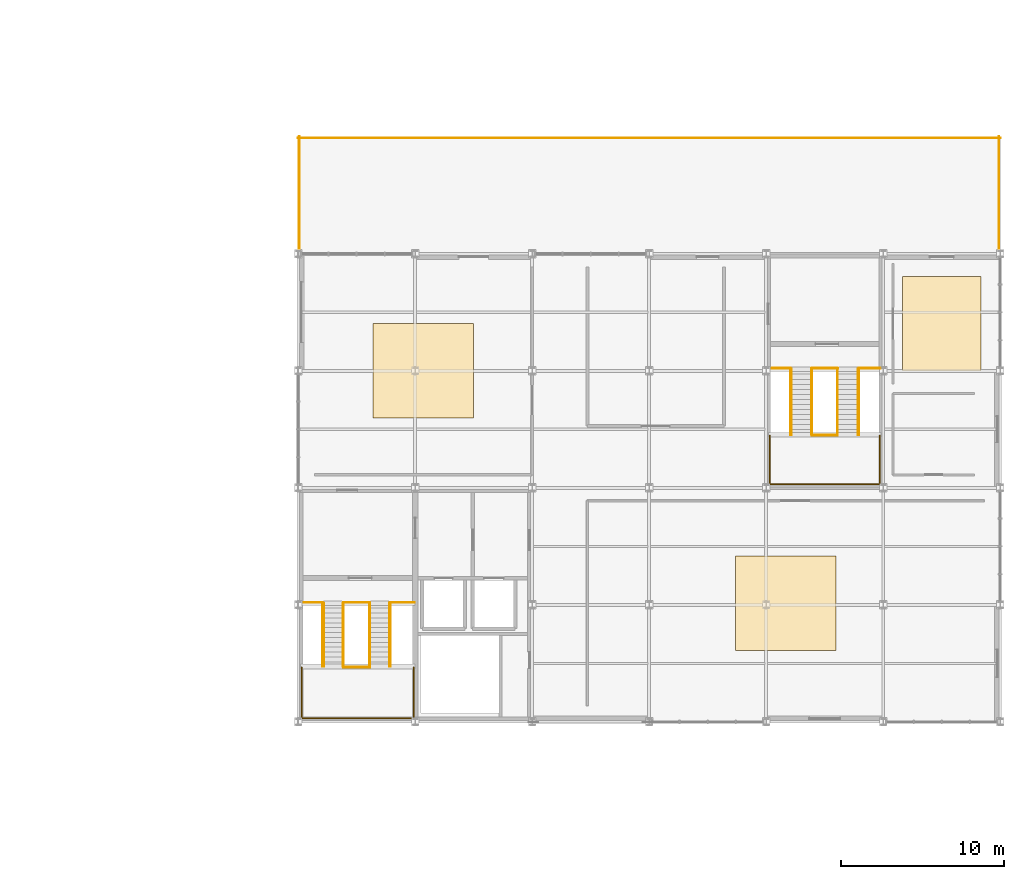
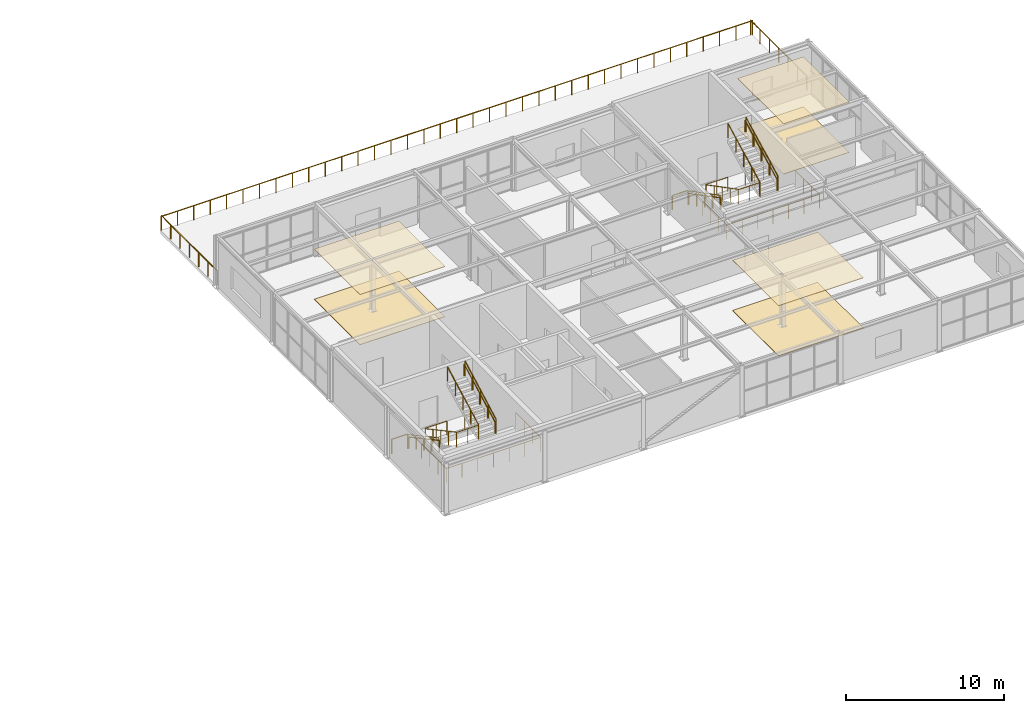
# One storey, part 30 of 30: 25 railings, 6 coverings.
"""IFC4 building model written with IfcOpenShell, lengths in metres."""

import ifcopenshell
import ifcopenshell.guid

model = None  # the IFC model being written
_history = None  # IfcOwnerHistory: only IFC2X3 demands one
_inside = {}  # id of a spatial element -> (the spatial element, [elements in it])
_under = {}  # id of a project, library or spatial element -> (it, [spatial elements below it])
_declared = {}  # id of a project -> (the project, [libraries it declares])
_typed = {}  # id of a type object -> (the type object, [elements of that type])
_made_of = {}  # id of a material, layer set ... -> (it, [elements and type objects made of it])


def new_model(schema):
    """Start an empty IFC model of exactly this schema.

    Asked for "IFC4X3", IfcOpenShell would pick the latest addendum, in which some entities
    have other attributes; the version numbers below select the first issue.
    IFC2X3 requires an IfcOwnerHistory on every rooted entity: one is made here for all.
    """
    global model, _history
    if schema == "IFC4X3":
        model = ifcopenshell.file(schema_version=(4, 3, 0, 0))
    else:
        model = ifcopenshell.file(schema=schema)
    _inside.clear()
    _under.clear()
    _declared.clear()
    _typed.clear()
    _made_of.clear()
    _history = None
    if model.schema == "IFC2X3":
        org = make("IfcOrganization", Name="unknown")
        user = make(
            "IfcPersonAndOrganization",
            ThePerson=make("IfcPerson", FamilyName="unknown"),
            TheOrganization=org,
        )
        app = make(
            "IfcApplication",
            ApplicationDeveloper=org,
            Version="unknown",
            ApplicationFullName="unknown",
            ApplicationIdentifier="unknown",
        )
        _history = make(
            "IfcOwnerHistory",
            OwningUser=user,
            OwningApplication=app,
            ChangeAction="ADDED",
            CreationDate=0,
        )
    return model


def make(cls, **values):
    """One entity of the class cls with the attributes given. An attribute that is None is left unset."""
    return model.create_entity(
        cls, **{name: value for name, value in values.items() if value is not None}
    )


def rooted(cls, **values):
    """An entity with a GlobalId (a new one), such as an element, a storey or a relation."""
    return make(cls, GlobalId=ifcopenshell.guid.new(), OwnerHistory=_history, **values)


def si_unit(unit_type, name, prefix=None):
    """IfcSIUnit, for example si_unit("LENGTHUNIT", "METRE", prefix="MILLI")."""
    return make("IfcSIUnit", UnitType=unit_type, Prefix=prefix, Name=name)


def assignment(units):
    """IfcUnitAssignment: the units of a project."""
    return None if units is None else make("IfcUnitAssignment", Units=units)


def point(xyz):
    """IfcCartesianPoint."""
    return None if xyz is None else make("IfcCartesianPoint", Coordinates=xyz)


def direction(xyz):
    """IfcDirection."""
    return None if xyz is None else make("IfcDirection", DirectionRatios=xyz)


def frame(location, z_axis=None, x_axis=None):
    """IfcAxis2Placement3D, a coordinate frame: its origin and axes. An axis left out is left unset."""
    return make(
        "IfcAxis2Placement3D",
        Location=point(location),
        Axis=direction(z_axis),
        RefDirection=direction(x_axis),
    )


def frame_2d(location, x_axis=None):
    """IfcAxis2Placement2D, a coordinate frame in the plane: its origin and x axis."""
    return make(
        "IfcAxis2Placement2D", Location=point(location), RefDirection=direction(x_axis)
    )


def origin():
    """The frame at (0, 0, 0) with its axes left unset."""
    return frame((0.0, 0.0, 0.0))


def origin_2d():
    """The frame at (0, 0) in the plane with its x axis left unset."""
    return frame_2d((0.0, 0.0))


def place(relative_to, where):
    """IfcLocalPlacement: puts the frame where relative to a parent placement (None: the world)."""
    return make(
        "IfcLocalPlacement", PlacementRelTo=relative_to, RelativePlacement=where
    )


def context(
    kind, dimensions, precision=None, world=None, true_north=None, identifier=None
):
    """IfcGeometricRepresentationContext, for example the 3D "Model" context."""
    return make(
        "IfcGeometricRepresentationContext",
        ContextIdentifier=identifier,
        ContextType=kind,
        CoordinateSpaceDimension=dimensions,
        Precision=precision,
        WorldCoordinateSystem=world,
        TrueNorth=true_north,
    )


def subcontext(parent, identifier, kind, view, scale=None):
    """IfcGeometricRepresentationSubContext, for example "Body" below "Model"."""
    return make(
        "IfcGeometricRepresentationSubContext",
        ContextIdentifier=identifier,
        ContextType=kind,
        ParentContext=parent,
        TargetScale=scale,
        TargetView=view,
    )


def project(units=None, contexts=None):
    """IfcProject with its units and contexts."""
    return rooted(
        "IfcProject",
        Name="project",
        RepresentationContexts=contexts,
        UnitsInContext=assignment(units),
    )


def spatial(cls, under=None, at=None, **own):
    """A site, building, storey or space (cls), placed at a placement, below another one or the project."""
    s = rooted(cls, ObjectPlacement=at, **own)
    if under is not None:
        _under.setdefault(under.id(), (under, []))[1].append(s)
    return s


def profile(cls, at=None, kind="AREA", **sizes):
    """A parametric profile (cls). Its sizes go by their IFC names, for example OverallWidth=200.0."""
    return make(cls, ProfileType=kind, Position=at, **sizes)


def rectangle(**sizes):
    """IfcRectangleProfileDef."""
    return profile("IfcRectangleProfileDef", **sizes)


def circle(**sizes):
    """IfcCircleProfileDef."""
    return profile("IfcCircleProfileDef", **sizes)


def extrude(swept, where, along, depth):
    """IfcExtrudedAreaSolid: the profile swept, set in the frame where, extruded along a direction by depth."""
    return make(
        "IfcExtrudedAreaSolid",
        SweptArea=swept,
        Position=where,
        ExtrudedDirection=direction(along),
        Depth=depth,
    )


def shape(context_of_items, identifier, shape_type, items):
    """IfcShapeRepresentation: the items that make up one representation, for example the "Body"."""
    return make(
        "IfcShapeRepresentation",
        ContextOfItems=context_of_items,
        RepresentationIdentifier=identifier,
        RepresentationType=shape_type,
        Items=items,
    )


def material(Name=None, Category=None):
    """IfcMaterial."""
    return make("IfcMaterial", Name=Name, Category=Category)


def layer(
    of_material, thickness, ventilated=None, Name=None, Category=None, Priority=None
):
    """IfcMaterialLayer: one layer of a wall or slab, of a material (None: an air gap)."""
    return make(
        "IfcMaterialLayer",
        Material=of_material,
        LayerThickness=thickness,
        IsVentilated=ventilated,
        Name=Name,
        Category=Category,
        Priority=Priority,
    )


def layer_set(layers, Name=None):
    """IfcMaterialLayerSet."""
    return make("IfcMaterialLayerSet", MaterialLayers=layers, LayerSetName=Name)


def made_of(thing, what):
    """Note that an element or type object is made of a material, layer set ...; save() writes the relation."""
    if what is not None:
        _made_of.setdefault(what.id(), (what, []))[1].append(thing)
    return thing


def type_object(cls, material=None, **own):
    """A type object (cls), such as IfcWallType, which elements share."""
    return made_of(rooted(cls, **own), material)


def element(
    cls,
    number,
    at=None,
    inside=None,
    cuts=None,
    type_object=None,
    material=None,
    context=None,
    identifier="Body",
    shape_type=None,
    held_by="IfcProductDefinitionShape",
    body=None,
    shapes=None,
    **own,
):
    """One element of the class cls, such as IfcWall. Its Tag is "e" and its number.

    at: its placement. inside: the storey or other place that contains it. cuts: it is an
    opening in that element (IfcRelVoidsElement). A single representation is given by context,
    identifier, shape_type and body (its items); several are given by shapes. held_by: the class
    of the entity that holds the representations. save() writes the other relations.
    """
    e = rooted(cls, Tag="e%d" % number, ObjectPlacement=at, **own)
    if body is not None:
        shapes = [shape(context, identifier, shape_type, body)]
    if shapes is not None:
        e.Representation = make(held_by, Representations=shapes)
    if inside is not None:
        _inside.setdefault(inside.id(), (inside, []))[1].append(e)
    if cuts is not None:
        rooted(
            "IfcRelVoidsElement", RelatingBuildingElement=cuts, RelatedOpeningElement=e
        )
    if type_object is not None:
        _typed.setdefault(type_object.id(), (type_object, []))[1].append(e)
    return made_of(e, material)


def aggregate(whole, parts):
    """IfcRelAggregates: a whole, such as a stair, and the parts it consists of."""
    return rooted("IfcRelAggregates", RelatingObject=whole, RelatedObjects=parts)


def save(model, path):
    """Write the relations noted so far, then the file.

    IfcRelAggregates (storeys below a building ...), IfcRelContainedInSpatialStructure (elements
    in a storey), IfcRelDefinesByType, IfcRelAssociatesMaterial and IfcRelDeclares: one each for
    every whole, place, type object, material and project.
    """
    for whole, parts in _under.values():
        aggregate(whole, parts)
    for where, things in _inside.values():
        rooted(
            "IfcRelContainedInSpatialStructure",
            RelatedElements=things,
            RelatingStructure=where,
        )
    for kind, things in _typed.values():
        rooted("IfcRelDefinesByType", RelatedObjects=things, RelatingType=kind)
    for what, things in _made_of.values():
        rooted("IfcRelAssociatesMaterial", RelatedObjects=things, RelatingMaterial=what)
    for by, libraries in _declared.values():
        rooted("IfcRelDeclares", RelatingContext=by, RelatedDefinitions=libraries)
    model.write(path)


model = new_model("IFC4")

# Units and contexts
model_context = context("Model", 3, precision=1e-05, world=origin(), true_north=direction((0.0, 1.0)))
body_context = subcontext(model_context, "Body", "Model", "MODEL_VIEW")
ifc_project = project(units=[si_unit("LENGTHUNIT", "METRE"), si_unit("AREAUNIT", "SQUARE_METRE"), si_unit("VOLUMEUNIT", "CUBIC_METRE"), si_unit("PLANEANGLEUNIT", "RADIAN"), si_unit("MASSUNIT", "GRAM", prefix="KILO")], contexts=[model_context])

# Site, building, storey
site_placement = place(None, origin())
site = spatial("IfcSite", under=ifc_project, at=site_placement, CompositionType="ELEMENT")
building_placement = place(site_placement, origin())
building = spatial("IfcBuilding", under=site, at=building_placement, Name="Leyfeld Transit Interchange", CompositionType="ELEMENT")
storey_placement = place(building_placement, frame((0.0, 0.0, 13.800048828125)))
storey = spatial("IfcBuildingStorey", under=building, at=storey_placement, Name="L03", CompositionType="ELEMENT", Elevation=13.800048828125)

# Coverings
ifc_material_1 = material(Name="Austrian larch acoustic slat ceiling", Category="wood")
ifc_layer_1 = layer(ifc_material_1, 0.0400390625, Name="Austrian larch acoustic slat ceiling")
ifc_layer_set_1 = layer_set([ifc_layer_1], Name="Austrian larch acoustic slat ceiling")
covering_type_1 = type_object("IfcCoveringType", Name="COV-CLG-LRC", PredefinedType="CEILING", material=ifc_layer_set_1)
for number, where, z_axis, x_axis, name in (
    (1, (166.800048828125, 64.89990234375, 3.864990234375), (0.0, 0.0, 1.0), (1.0, 0.0, 0.0), "Acoustic Slat Ceiling Integrated Mobility Planning Studio"),
    (2, (144.5, 79.199951171875, 3.864990234375), (0.0, 0.0, 1.0), (1.0, 0.0, 0.0), "Acoustic Slat Ceiling Public Consultation Seminar Room"),
):
    element("IfcCovering", number, at=place(storey_placement, frame(where, z_axis=z_axis, x_axis=x_axis)), inside=storey, type_object=covering_type_1, Name=name, PredefinedType="CEILING", context=body_context, shape_type="SweptSolid", body=[
        extrude(rectangle(XDim=6.199951171875, YDim=5.800048828125, at=origin_2d()), origin(), (0.0, 0.0, 1.0), 0.0400390625),
    ])
covering_1_placement = place(storey_placement, frame((176.39990234375, 82.10009765625, 3.864990234375), z_axis=(0.0, 0.0, 1.0), x_axis=(1.0, 0.0, 0.0)))
element("IfcCovering", 3, at=covering_1_placement, inside=storey, type_object=covering_type_1, Name="Acoustic Slat Ceiling Active Mobility Analytics Studio", PredefinedType="CEILING", context=body_context, shape_type="SweptSolid", body=[
    extrude(rectangle(XDim=4.800048828125, YDim=5.800048828125, at=origin_2d()), origin(), (0.0, 0.0, 1.0), 0.0400390625),
])
ifc_material_2 = material(Name="Polished Danube terrazzo flooring", Category="stone")
ifc_layer_2 = layer(ifc_material_2, 0.030029296875, Name="Polished Danube terrazzo flooring")
ifc_layer_set_2 = layer_set([ifc_layer_2], Name="Polished Danube terrazzo flooring")
covering_type_2 = type_object("IfcCoveringType", Name="COV-FLR-TRZ", PredefinedType="FLOORING", material=ifc_layer_set_2)
for number, where, z_axis, x_axis, name in (
    (4, (166.800048828125, 64.89990234375, 0.0), (0.0, 0.0, 1.0), (1.0, 0.0, 0.0), "Terrazzo Flooring Integrated Mobility Planning Studio"),
    (5, (144.5, 79.199951171875, 0.0), (0.0, 0.0, 1.0), (1.0, 0.0, 0.0), "Terrazzo Flooring Public Consultation Seminar Room"),
):
    element("IfcCovering", number, at=place(storey_placement, frame(where, z_axis=z_axis, x_axis=x_axis)), inside=storey, type_object=covering_type_2, Name=name, PredefinedType="FLOORING", context=body_context, shape_type="SweptSolid", body=[
        extrude(rectangle(XDim=6.199951171875, YDim=5.800048828125, at=origin_2d()), origin(), (0.0, 0.0, 1.0), 0.030029296875),
    ])
covering_2_placement = place(storey_placement, frame((176.39990234375, 82.10009765625, 0.0), z_axis=(0.0, 0.0, 1.0), x_axis=(1.0, 0.0, 0.0)))
element("IfcCovering", 6, at=covering_2_placement, inside=storey, type_object=covering_type_2, Name="Terrazzo Flooring Active Mobility Analytics Studio", PredefinedType="FLOORING", context=body_context, shape_type="SweptSolid", body=[
    extrude(rectangle(XDim=4.800048828125, YDim=5.800048828125, at=origin_2d()), origin(), (0.0, 0.0, 1.0), 0.030029296875),
])

# Railings
ifc_material_3 = material(Name="Stainless steel EN 1.4404", Category="steel")
railing_type_1 = type_object("IfcRailingType", Name="RL-BAL-1100", PredefinedType="BALUSTRADE", material=ifc_material_3)
railing_1_placement = place(storey_placement, frame((179.919921875, 86.52001953125, 0.0)))
element("IfcRailing", 7, at=railing_1_placement, inside=storey, type_object=railing_type_1, Name="Terrace Balustrade L03 007", PredefinedType="BALUSTRADE", context=body_context, shape_type="SweptSolid", body=[
    extrude(circle(Radius=0.02392578125, at=origin_2d()), frame((0.0, 0.0, 1.09619140625), z_axis=(0.0, 1.0, 0.0), x_axis=(-1.0, 0.0, 0.0)), (0.0, 0.0, 1.0), 7.080078125),
    extrude(circle(Radius=0.02099609375, at=origin_2d()), origin(), (0.0, 0.0, 1.0), 1.072021484375),
    extrude(circle(Radius=0.02099609375, at=origin_2d()), frame((0.0, 1.179931640625, 0.0)), (0.0, 0.0, 1.0), 1.072021484375),
    extrude(circle(Radius=0.02099609375, at=origin_2d()), frame((0.0, 2.360107421875, 0.0)), (0.0, 0.0, 1.0), 1.072021484375),
    extrude(circle(Radius=0.02099609375, at=origin_2d()), frame((0.0, 3.5400390625, 0.0)), (0.0, 0.0, 1.0), 1.072021484375),
    extrude(circle(Radius=0.02099609375, at=origin_2d()), frame((0.0, 4.719970703125, 0.0)), (0.0, 0.0, 1.0), 1.072021484375),
    extrude(circle(Radius=0.02099609375, at=origin_2d()), frame((0.0, 5.900146484375, 0.0)), (0.0, 0.0, 1.0), 1.072021484375),
    extrude(circle(Radius=0.02099609375, at=origin_2d()), frame((0.0, 7.080078125, 0.0)), (0.0, 0.0, 1.0), 1.072021484375),
])
railing_2_placement = place(storey_placement, frame((180.0, 93.52001953125, 0.0)))
element("IfcRailing", 8, at=railing_2_placement, inside=storey, type_object=railing_type_1, Name="Terrace Balustrade L03 008", PredefinedType="BALUSTRADE", context=body_context, shape_type="SweptSolid", body=[
    extrude(circle(Radius=0.02392578125, at=origin_2d()), frame((0.0, 0.0, 1.09619140625), z_axis=(-1.0, 0.0, 0.0), x_axis=(0.0, -1.0, 0.0)), (0.0, 0.0, 1.0), 43.199951171875),
    extrude(circle(Radius=0.02099609375, at=origin_2d()), origin(), (0.0, 0.0, 1.0), 1.072021484375),
    extrude(circle(Radius=0.02099609375, at=origin_2d()), frame((-1.199951171875, 0.0, 0.0)), (0.0, 0.0, 1.0), 1.072021484375),
    extrude(circle(Radius=0.02099609375, at=origin_2d()), frame((-2.39990234375, 0.0, 0.0)), (0.0, 0.0, 1.0), 1.072021484375),
    extrude(circle(Radius=0.02099609375, at=origin_2d()), frame((-3.60009765625, 0.0, 0.0)), (0.0, 0.0, 1.0), 1.072021484375),
    extrude(circle(Radius=0.02099609375, at=origin_2d()), frame((-4.800048828125, 0.0, 0.0)), (0.0, 0.0, 1.0), 1.072021484375),
    extrude(circle(Radius=0.02099609375, at=origin_2d()), frame((-6.0, 0.0, 0.0)), (0.0, 0.0, 1.0), 1.072021484375),
    extrude(circle(Radius=0.02099609375, at=origin_2d()), frame((-7.199951171875, 0.0, 0.0)), (0.0, 0.0, 1.0), 1.072021484375),
    extrude(circle(Radius=0.02099609375, at=origin_2d()), frame((-8.39990234375, 0.0, 0.0)), (0.0, 0.0, 1.0), 1.072021484375),
    extrude(circle(Radius=0.02099609375, at=origin_2d()), frame((-9.60009765625, 0.0, 0.0)), (0.0, 0.0, 1.0), 1.072021484375),
    extrude(circle(Radius=0.02099609375, at=origin_2d()), frame((-10.800048828125, 0.0, 0.0)), (0.0, 0.0, 1.0), 1.072021484375),
    extrude(circle(Radius=0.02099609375, at=origin_2d()), frame((-12.0, 0.0, 0.0)), (0.0, 0.0, 1.0), 1.072021484375),
    extrude(circle(Radius=0.02099609375, at=origin_2d()), frame((-13.199951171875, 0.0, 0.0)), (0.0, 0.0, 1.0), 1.072021484375),
    extrude(circle(Radius=0.02099609375, at=origin_2d()), frame((-14.39990234375, 0.0, 0.0)), (0.0, 0.0, 1.0), 1.072021484375),
    extrude(circle(Radius=0.02099609375, at=origin_2d()), frame((-15.60009765625, 0.0, 0.0)), (0.0, 0.0, 1.0), 1.072021484375),
    extrude(circle(Radius=0.02099609375, at=origin_2d()), frame((-16.800048828125, 0.0, 0.0)), (0.0, 0.0, 1.0), 1.072021484375),
    extrude(circle(Radius=0.02099609375, at=origin_2d()), frame((-18.0, 0.0, 0.0)), (0.0, 0.0, 1.0), 1.072021484375),
    extrude(circle(Radius=0.02099609375, at=origin_2d()), frame((-19.199951171875, 0.0, 0.0)), (0.0, 0.0, 1.0), 1.072021484375),
    extrude(circle(Radius=0.02099609375, at=origin_2d()), frame((-20.39990234375, 0.0, 0.0)), (0.0, 0.0, 1.0), 1.072021484375),
    extrude(circle(Radius=0.02099609375, at=origin_2d()), frame((-21.60009765625, 0.0, 0.0)), (0.0, 0.0, 1.0), 1.072021484375),
    extrude(circle(Radius=0.02099609375, at=origin_2d()), frame((-22.800048828125, 0.0, 0.0)), (0.0, 0.0, 1.0), 1.072021484375),
    extrude(circle(Radius=0.02099609375, at=origin_2d()), frame((-24.0, 0.0, 0.0)), (0.0, 0.0, 1.0), 1.072021484375),
    extrude(circle(Radius=0.02099609375, at=origin_2d()), frame((-25.199951171875, 0.0, 0.0)), (0.0, 0.0, 1.0), 1.072021484375),
    extrude(circle(Radius=0.02099609375, at=origin_2d()), frame((-26.39990234375, 0.0, 0.0)), (0.0, 0.0, 1.0), 1.072021484375),
    extrude(circle(Radius=0.02099609375, at=origin_2d()), frame((-27.599853515625, 0.0, 0.0)), (0.0, 0.0, 1.0), 1.072021484375),
    extrude(circle(Radius=0.02099609375, at=origin_2d()), frame((-28.800048828125, 0.0, 0.0)), (0.0, 0.0, 1.0), 1.072021484375),
    extrude(circle(Radius=0.02099609375, at=origin_2d()), frame((-30.0, 0.0, 0.0)), (0.0, 0.0, 1.0), 1.072021484375),
    extrude(circle(Radius=0.02099609375, at=origin_2d()), frame((-31.199951171875, 0.0, 0.0)), (0.0, 0.0, 1.0), 1.072021484375),
    extrude(circle(Radius=0.02099609375, at=origin_2d()), frame((-32.39990234375, 0.0, 0.0)), (0.0, 0.0, 1.0), 1.072021484375),
    extrude(circle(Radius=0.02099609375, at=origin_2d()), frame((-33.599853515625, 0.0, 0.0)), (0.0, 0.0, 1.0), 1.072021484375),
    extrude(circle(Radius=0.02099609375, at=origin_2d()), frame((-34.800048828125, 0.0, 0.0)), (0.0, 0.0, 1.0), 1.072021484375),
    extrude(circle(Radius=0.02099609375, at=origin_2d()), frame((-36.0, 0.0, 0.0)), (0.0, 0.0, 1.0), 1.072021484375),
    extrude(circle(Radius=0.02099609375, at=origin_2d()), frame((-37.199951171875, 0.0, 0.0)), (0.0, 0.0, 1.0), 1.072021484375),
    extrude(circle(Radius=0.02099609375, at=origin_2d()), frame((-38.39990234375, 0.0, 0.0)), (0.0, 0.0, 1.0), 1.072021484375),
    extrude(circle(Radius=0.02099609375, at=origin_2d()), frame((-39.599853515625, 0.0, 0.0)), (0.0, 0.0, 1.0), 1.072021484375),
    extrude(circle(Radius=0.02099609375, at=origin_2d()), frame((-40.800048828125, 0.0, 0.0)), (0.0, 0.0, 1.0), 1.072021484375),
    extrude(circle(Radius=0.02099609375, at=origin_2d()), frame((-42.0, 0.0, 0.0)), (0.0, 0.0, 1.0), 1.072021484375),
    extrude(circle(Radius=0.02099609375, at=origin_2d()), frame((-43.199951171875, 0.0, 0.0)), (0.0, 0.0, 1.0), 1.072021484375),
])
railing_3_placement = place(storey_placement, frame((136.8798828125, 93.60009765625, 0.0)))
element("IfcRailing", 9, at=railing_3_placement, inside=storey, type_object=railing_type_1, Name="Terrace Balustrade L03 009", PredefinedType="BALUSTRADE", context=body_context, shape_type="SweptSolid", body=[
    extrude(circle(Radius=0.02392578125, at=origin_2d()), frame((0.0, 0.0, 1.09619140625), z_axis=(0.0, -1.0, 0.0), x_axis=(1.0, 0.0, 0.0)), (0.0, 0.0, 1.0), 7.080078125),
    extrude(circle(Radius=0.02099609375, at=origin_2d()), origin(), (0.0, 0.0, 1.0), 1.072021484375),
    extrude(circle(Radius=0.02099609375, at=origin_2d()), frame((0.0, -1.179931640625, 0.0)), (0.0, 0.0, 1.0), 1.072021484375),
    extrude(circle(Radius=0.02099609375, at=origin_2d()), frame((0.0, -2.360107421875, 0.0)), (0.0, 0.0, 1.0), 1.072021484375),
    extrude(circle(Radius=0.02099609375, at=origin_2d()), frame((0.0, -3.5400390625, 0.0)), (0.0, 0.0, 1.0), 1.072021484375),
    extrude(circle(Radius=0.02099609375, at=origin_2d()), frame((0.0, -4.719970703125, 0.0)), (0.0, 0.0, 1.0), 1.072021484375),
    extrude(circle(Radius=0.02099609375, at=origin_2d()), frame((0.0, -5.900146484375, 0.0)), (0.0, 0.0, 1.0), 1.072021484375),
    extrude(circle(Radius=0.02099609375, at=origin_2d()), frame((0.0, -7.080078125, 0.0)), (0.0, 0.0, 1.0), 1.072021484375),
])
railing_type_2 = type_object("IfcRailingType", Name="RL-STR-GRD-1100", PredefinedType="GUARDRAIL", material=ifc_material_3)
railing_4_placement = place(storey_placement, frame((137.159912109375, 64.949951171875, 0.0)))
element("IfcRailing", 10, at=railing_4_placement, inside=storey, type_object=railing_type_2, Name="Stair ST-04 Landing Guard FLW L03", PredefinedType="GUARDRAIL", context=body_context, shape_type="SweptSolid", body=[
    extrude(circle(Radius=0.02392578125, at=origin_2d()), frame((0.0, 0.0, 1.09619140625), z_axis=(1.0, 0.0, 0.0), x_axis=(0.0, 1.0, 0.0)), (0.0, 0.0, 1.0), 1.14013671875),
    extrude(circle(Radius=0.02099609375, at=origin_2d()), origin(), (0.0, 0.0, 1.0), 1.072021484375),
    extrude(circle(Radius=0.02099609375, at=origin_2d()), frame((1.14013671875, 0.0, 0.0)), (0.0, 0.0, 1.0), 1.072021484375),
])
railing_5_placement = place(storey_placement, frame((139.60009765625, 64.949951171875, 0.0)))
element("IfcRailing", 11, at=railing_5_placement, inside=storey, type_object=railing_type_2, Name="Stair ST-04 Landing Guard EYE L03", PredefinedType="GUARDRAIL", context=body_context, shape_type="SweptSolid", body=[
    extrude(circle(Radius=0.02392578125, at=origin_2d()), frame((0.0, 0.0, 1.09619140625), z_axis=(1.0, 0.0, 0.0), x_axis=(0.0, 1.0, 0.0)), (0.0, 0.0, 1.0), 1.599853515625),
    extrude(circle(Radius=0.02099609375, at=origin_2d()), origin(), (0.0, 0.0, 1.0), 1.072021484375),
    extrude(circle(Radius=0.02099609375, at=origin_2d()), frame((0.7998046875, 0.0, 0.0)), (0.0, 0.0, 1.0), 1.072021484375),
    extrude(circle(Radius=0.02099609375, at=origin_2d()), frame((1.599853515625, 0.0, 0.0)), (0.0, 0.0, 1.0), 1.072021484375),
])
railing_6_placement = place(storey_placement, frame((142.5, 64.949951171875, 0.0)))
element("IfcRailing", 12, at=railing_6_placement, inside=storey, type_object=railing_type_2, Name="Stair ST-04 Landing Guard FLE L03", PredefinedType="GUARDRAIL", context=body_context, shape_type="SweptSolid", body=[
    extrude(circle(Radius=0.02392578125, at=origin_2d()), frame((0.0, 0.0, 1.09619140625), z_axis=(1.0, 0.0, 0.0), x_axis=(0.0, 1.0, 0.0)), (0.0, 0.0, 1.0), 1.449951171875),
    extrude(circle(Radius=0.02099609375, at=origin_2d()), origin(), (0.0, 0.0, 1.0), 1.072021484375),
    extrude(circle(Radius=0.02099609375, at=origin_2d()), frame((0.72509765625, 0.0, 0.0)), (0.0, 0.0, 1.0), 1.072021484375),
    extrude(circle(Radius=0.02099609375, at=origin_2d()), frame((1.449951171875, 0.0, 0.0)), (0.0, 0.0, 1.0), 1.072021484375),
])
railing_7_placement = place(storey_placement, frame((139.5849609375, 60.9599609375, 2.099853515625)))
element("IfcRailing", 13, at=railing_7_placement, inside=storey, type_object=railing_type_2, Name="Stair ST-04 L03 Half-Landing Inner Guard", PredefinedType="GUARDRAIL", context=body_context, shape_type="SweptSolid", body=[
    extrude(circle(Radius=0.02392578125, at=origin_2d()), frame((0.0, 0.0, 1.09619140625), z_axis=(1.0, 0.0, 0.0), x_axis=(0.0, 1.0, 0.0)), (0.0, 0.0, 1.0), 1.630126953125),
    extrude(circle(Radius=0.02099609375, at=origin_2d()), origin(), (0.0, 0.0, 1.0), 1.072021484375),
    extrude(circle(Radius=0.02099609375, at=origin_2d()), frame((0.81494140625, 0.0, 0.0)), (0.0, 0.0, 1.0), 1.072021484375),
    extrude(circle(Radius=0.02099609375, at=origin_2d()), frame((1.630126953125, 0.0, 0.0)), (0.0, 0.0, 1.0), 1.072021484375),
])
railing_8_placement = place(storey_placement, frame((137.030029296875, 60.9599609375, 2.099853515625)))
element("IfcRailing", 14, at=railing_8_placement, inside=storey, type_object=railing_type_2, Name="Stair ST-04 L03 Half-Landing Perimeter Guard", PredefinedType="GUARDRAIL", context=body_context, shape_type="SweptSolid", body=[
    extrude(circle(Radius=0.02392578125, at=origin_2d()), frame((0.0, 0.0, 1.09619140625), z_axis=(0.0, -1.0, 0.0), x_axis=(1.0, 0.0, 0.0)), (0.0, 0.0, 1.0), 3.1298828125),
    extrude(circle(Radius=0.02392578125, at=origin_2d()), frame((0.0, -3.1298828125, 1.09619140625), z_axis=(1.0, 0.0, 0.0), x_axis=(0.0, 1.0, 0.0)), (0.0, 0.0, 1.0), 6.889892578125),
    extrude(circle(Radius=0.02392578125, at=origin_2d()), frame((6.889892578125, -3.1298828125, 1.09619140625), z_axis=(0.0, 1.0, 0.0), x_axis=(-1.0, 0.0, 0.0)), (0.0, 0.0, 1.0), 3.1298828125),
    extrude(circle(Radius=0.02099609375, at=origin_2d()), origin(), (0.0, 0.0, 1.0), 1.072021484375),
    extrude(circle(Radius=0.02099609375, at=origin_2d()), frame((0.0, -1.043212890625, 0.0)), (0.0, 0.0, 1.0), 1.072021484375),
    extrude(circle(Radius=0.02099609375, at=origin_2d()), frame((0.0, -2.086669921875, 0.0)), (0.0, 0.0, 1.0), 1.072021484375),
    extrude(circle(Radius=0.02099609375, at=origin_2d()), frame((0.0, -3.1298828125, 0.0)), (0.0, 0.0, 1.0), 1.072021484375),
    extrude(circle(Radius=0.02099609375, at=origin_2d()), frame((1.1484375, -3.1298828125, 0.0)), (0.0, 0.0, 1.0), 1.072021484375),
    extrude(circle(Radius=0.02099609375, at=origin_2d()), frame((2.296630859375, -3.1298828125, 0.0)), (0.0, 0.0, 1.0), 1.072021484375),
    extrude(circle(Radius=0.02099609375, at=origin_2d()), frame((3.44482421875, -3.1298828125, 0.0)), (0.0, 0.0, 1.0), 1.072021484375),
    extrude(circle(Radius=0.02099609375, at=origin_2d()), frame((4.59326171875, -3.1298828125, 0.0)), (0.0, 0.0, 1.0), 1.072021484375),
    extrude(circle(Radius=0.02099609375, at=origin_2d()), frame((5.74169921875, -3.1298828125, 0.0)), (0.0, 0.0, 1.0), 1.072021484375),
    extrude(circle(Radius=0.02099609375, at=origin_2d()), frame((6.889892578125, -3.1298828125, 0.0)), (0.0, 0.0, 1.0), 1.072021484375),
    extrude(circle(Radius=0.02099609375, at=origin_2d()), frame((6.889892578125, -2.086669921875, 0.0)), (0.0, 0.0, 1.0), 1.072021484375),
    extrude(circle(Radius=0.02099609375, at=origin_2d()), frame((6.889892578125, -1.043212890625, 0.0)), (0.0, 0.0, 1.0), 1.072021484375),
    extrude(circle(Radius=0.02099609375, at=origin_2d()), frame((6.889892578125, 0.0, 0.0)), (0.0, 0.0, 1.0), 1.072021484375),
])
for number, where, name in (
    (15, (139.5849609375, 64.89990234375, 0.0), "Stair ST-04 L03 F1 Inner Guard"),
    (16, (138.31494140625, 64.89990234375, 0.0), "Stair ST-04 L03 F1 Outer Guard"),
):
    element("IfcRailing", number, at=place(storey_placement, frame(where)), inside=storey, type_object=railing_type_2, Name=name, PredefinedType="GUARDRAIL", context=body_context, shape_type="SweptSolid", body=[
        extrude(circle(Radius=0.02392578125, at=origin_2d()), frame((0.0, 0.0, 1.09619140625), z_axis=(0.0, -0.88047994924, 0.474083388219), x_axis=(1.0, 0.0, 0.0)), (0.0, 0.0, 1.0), 4.42919921875),
        extrude(circle(Radius=0.02099609375, at=origin_2d()), origin(), (0.0, 0.0, 1.0), 1.072021484375),
        extrude(circle(Radius=0.02099609375, at=origin_2d()), frame((0.0, -0.97509765625, 0.52490234375)), (0.0, 0.0, 1.0), 1.072021484375),
        extrude(circle(Radius=0.02099609375, at=origin_2d()), frame((0.0, -1.949951171875, 1.0498046875)), (0.0, 0.0, 1.0), 1.072021484375),
        extrude(circle(Radius=0.02099609375, at=origin_2d()), frame((0.0, -2.9248046875, 1.574951171875)), (0.0, 0.0, 1.0), 1.072021484375),
        extrude(circle(Radius=0.02099609375, at=origin_2d()), frame((0.0, -3.89990234375, 2.099853515625)), (0.0, 0.0, 1.0), 1.072021484375),
    ])
for number, where, name in (
    (17, (141.215087890625, 61.0, 2.099853515625), "Stair ST-04 L03 F2 Inner Guard"),
    (18, (142.485107421875, 61.0, 2.099853515625), "Stair ST-04 L03 F2 Outer Guard"),
):
    element("IfcRailing", number, at=place(storey_placement, frame(where)), inside=storey, type_object=railing_type_2, Name=name, PredefinedType="GUARDRAIL", context=body_context, shape_type="SweptSolid", body=[
        extrude(circle(Radius=0.02392578125, at=origin_2d()), frame((0.0, 0.0, 1.09619140625), z_axis=(0.0, 0.880456940745, 0.474126117709), x_axis=(-1.0, 0.0, 0.0)), (0.0, 0.0, 1.0), 4.429443359375),
        extrude(circle(Radius=0.02099609375, at=origin_2d()), origin(), (0.0, 0.0, 1.0), 1.072021484375),
        extrude(circle(Radius=0.02099609375, at=origin_2d()), frame((0.0, 0.97509765625, 0.52490234375)), (0.0, 0.0, 1.0), 1.072021484375),
        extrude(circle(Radius=0.02099609375, at=origin_2d()), frame((0.0, 1.949951171875, 1.050048828125)), (0.0, 0.0, 1.0), 1.072021484375),
        extrude(circle(Radius=0.02099609375, at=origin_2d()), frame((0.0, 2.9248046875, 1.5751953125)), (0.0, 0.0, 1.0), 1.072021484375),
        extrude(circle(Radius=0.02099609375, at=origin_2d()), frame((0.0, 3.89990234375, 2.10009765625)), (0.0, 0.0, 1.0), 1.072021484375),
    ])
railing_9_placement = place(storey_placement, frame((165.9599609375, 79.35009765625, 0.0)))
element("IfcRailing", 19, at=railing_9_placement, inside=storey, type_object=railing_type_2, Name="Stair ST-05 Landing Guard FLW L03", PredefinedType="GUARDRAIL", context=body_context, shape_type="SweptSolid", body=[
    extrude(circle(Radius=0.02392578125, at=origin_2d()), frame((0.0, 0.0, 1.09619140625), z_axis=(1.0, 0.0, 0.0), x_axis=(0.0, 1.0, 0.0)), (0.0, 0.0, 1.0), 1.14013671875),
    extrude(circle(Radius=0.02099609375, at=origin_2d()), origin(), (0.0, 0.0, 1.0), 1.072021484375),
    extrude(circle(Radius=0.02099609375, at=origin_2d()), frame((1.14013671875, 0.0, 0.0)), (0.0, 0.0, 1.0), 1.072021484375),
])
railing_10_placement = place(storey_placement, frame((168.39990234375, 79.35009765625, 0.0)))
element("IfcRailing", 20, at=railing_10_placement, inside=storey, type_object=railing_type_2, Name="Stair ST-05 Landing Guard EYE L03", PredefinedType="GUARDRAIL", context=body_context, shape_type="SweptSolid", body=[
    extrude(circle(Radius=0.02392578125, at=origin_2d()), frame((0.0, 0.0, 1.09619140625), z_axis=(1.0, 0.0, 0.0), x_axis=(0.0, 1.0, 0.0)), (0.0, 0.0, 1.0), 1.60009765625),
    extrude(circle(Radius=0.02099609375, at=origin_2d()), origin(), (0.0, 0.0, 1.0), 1.072021484375),
    extrude(circle(Radius=0.02099609375, at=origin_2d()), frame((0.800048828125, 0.0, 0.0)), (0.0, 0.0, 1.0), 1.072021484375),
    extrude(circle(Radius=0.02099609375, at=origin_2d()), frame((1.60009765625, 0.0, 0.0)), (0.0, 0.0, 1.0), 1.072021484375),
])
railing_11_placement = place(storey_placement, frame((171.300048828125, 79.35009765625, 0.0)))
element("IfcRailing", 21, at=railing_11_placement, inside=storey, type_object=railing_type_2, Name="Stair ST-05 Landing Guard FLE L03", PredefinedType="GUARDRAIL", context=body_context, shape_type="SweptSolid", body=[
    extrude(circle(Radius=0.02392578125, at=origin_2d()), frame((0.0, 0.0, 1.09619140625), z_axis=(1.0, 0.0, 0.0), x_axis=(0.0, 1.0, 0.0)), (0.0, 0.0, 1.0), 1.31494140625),
    extrude(circle(Radius=0.02099609375, at=origin_2d()), origin(), (0.0, 0.0, 1.0), 1.072021484375),
    extrude(circle(Radius=0.02099609375, at=origin_2d()), frame((0.657470703125, 0.0, 0.0)), (0.0, 0.0, 1.0), 1.072021484375),
    extrude(circle(Radius=0.02099609375, at=origin_2d()), frame((1.31494140625, 0.0, 0.0)), (0.0, 0.0, 1.0), 1.072021484375),
])
railing_12_placement = place(storey_placement, frame((168.409912109375, 75.22998046875, 2.099853515625)))
element("IfcRailing", 22, at=railing_12_placement, inside=storey, type_object=railing_type_2, Name="Stair ST-05 L03 Half-Landing Inner Guard", PredefinedType="GUARDRAIL", context=body_context, shape_type="SweptSolid", body=[
    extrude(circle(Radius=0.02392578125, at=origin_2d()), frame((0.0, 0.0, 1.09619140625), z_axis=(1.0, 0.0, 0.0), x_axis=(0.0, 1.0, 0.0)), (0.0, 0.0, 1.0), 1.580078125),
    extrude(circle(Radius=0.02099609375, at=origin_2d()), origin(), (0.0, 0.0, 1.0), 1.072021484375),
    extrude(circle(Radius=0.02099609375, at=origin_2d()), frame((0.7900390625, 0.0, 0.0)), (0.0, 0.0, 1.0), 1.072021484375),
    extrude(circle(Radius=0.02099609375, at=origin_2d()), frame((1.580078125, 0.0, 0.0)), (0.0, 0.0, 1.0), 1.072021484375),
])
railing_13_placement = place(storey_placement, frame((165.81494140625, 75.22998046875, 2.099853515625)))
element("IfcRailing", 23, at=railing_13_placement, inside=storey, type_object=railing_type_2, Name="Stair ST-05 L03 Half-Landing Perimeter Guard", PredefinedType="GUARDRAIL", context=body_context, shape_type="SweptSolid", body=[
    extrude(circle(Radius=0.02392578125, at=origin_2d()), frame((0.0, 0.0, 1.09619140625), z_axis=(0.0, -1.0, 0.0), x_axis=(1.0, 0.0, 0.0)), (0.0, 0.0, 1.0), 3.014892578125),
    extrude(circle(Radius=0.02392578125, at=origin_2d()), frame((0.0, -3.014892578125, 1.09619140625), z_axis=(1.0, 0.0, 0.0), x_axis=(0.0, 1.0, 0.0)), (0.0, 0.0, 1.0), 6.77001953125),
    extrude(circle(Radius=0.02392578125, at=origin_2d()), frame((6.77001953125, -3.014892578125, 1.09619140625), z_axis=(0.0, 1.0, 0.0), x_axis=(-1.0, 0.0, 0.0)), (0.0, 0.0, 1.0), 3.014892578125),
    extrude(circle(Radius=0.02099609375, at=origin_2d()), origin(), (0.0, 0.0, 1.0), 1.072021484375),
    extrude(circle(Radius=0.02099609375, at=origin_2d()), frame((0.0, -1.0048828125, 0.0)), (0.0, 0.0, 1.0), 1.072021484375),
    extrude(circle(Radius=0.02099609375, at=origin_2d()), frame((0.0, -2.010009765625, 0.0)), (0.0, 0.0, 1.0), 1.072021484375),
    extrude(circle(Radius=0.02099609375, at=origin_2d()), frame((0.0, -3.014892578125, 0.0)), (0.0, 0.0, 1.0), 1.072021484375),
    extrude(circle(Radius=0.02099609375, at=origin_2d()), frame((1.12841796875, -3.014892578125, 0.0)), (0.0, 0.0, 1.0), 1.072021484375),
    extrude(circle(Radius=0.02099609375, at=origin_2d()), frame((2.256591796875, -3.014892578125, 0.0)), (0.0, 0.0, 1.0), 1.072021484375),
    extrude(circle(Radius=0.02099609375, at=origin_2d()), frame((3.385009765625, -3.014892578125, 0.0)), (0.0, 0.0, 1.0), 1.072021484375),
    extrude(circle(Radius=0.02099609375, at=origin_2d()), frame((4.513427734375, -3.014892578125, 0.0)), (0.0, 0.0, 1.0), 1.072021484375),
    extrude(circle(Radius=0.02099609375, at=origin_2d()), frame((5.6416015625, -3.014892578125, 0.0)), (0.0, 0.0, 1.0), 1.072021484375),
    extrude(circle(Radius=0.02099609375, at=origin_2d()), frame((6.77001953125, -3.014892578125, 0.0)), (0.0, 0.0, 1.0), 1.072021484375),
    extrude(circle(Radius=0.02099609375, at=origin_2d()), frame((6.77001953125, -2.010009765625, 0.0)), (0.0, 0.0, 1.0), 1.072021484375),
    extrude(circle(Radius=0.02099609375, at=origin_2d()), frame((6.77001953125, -1.0048828125, 0.0)), (0.0, 0.0, 1.0), 1.072021484375),
    extrude(circle(Radius=0.02099609375, at=origin_2d()), frame((6.77001953125, 0.0, 0.0)), (0.0, 0.0, 1.0), 1.072021484375),
])
for number, where, name in (
    (24, (168.409912109375, 79.300048828125, 0.0), "Stair ST-05 L03 F1 Inner Guard"),
    (25, (167.090087890625, 79.300048828125, 0.0), "Stair ST-05 L03 F1 Outer Guard"),
):
    element("IfcRailing", number, at=place(storey_placement, frame(where)), inside=storey, type_object=railing_type_2, Name=name, PredefinedType="GUARDRAIL", context=body_context, shape_type="SweptSolid", body=[
        extrude(circle(Radius=0.02392578125, at=origin_2d()), frame((0.0, 0.0, 1.09619140625), z_axis=(0.0, -0.886834740388, 0.462086726969), x_axis=(1.0, 0.0, 0.0)), (0.0, 0.0, 1.0), 4.544189453125),
        extrude(circle(Radius=0.02099609375, at=origin_2d()), origin(), (0.0, 0.0, 1.0), 1.072021484375),
        extrude(circle(Radius=0.02099609375, at=origin_2d()), frame((0.0, -1.007568359375, 0.52490234375)), (0.0, 0.0, 1.0), 1.072021484375),
        extrude(circle(Radius=0.02099609375, at=origin_2d()), frame((0.0, -2.01513671875, 1.0498046875)), (0.0, 0.0, 1.0), 1.072021484375),
        extrude(circle(Radius=0.02099609375, at=origin_2d()), frame((0.0, -3.0224609375, 1.574951171875)), (0.0, 0.0, 1.0), 1.072021484375),
        extrude(circle(Radius=0.02099609375, at=origin_2d()), frame((0.0, -4.030029296875, 2.099853515625)), (0.0, 0.0, 1.0), 1.072021484375),
    ])
for number, where, name in (
    (26, (169.989990234375, 75.27001953125, 2.099853515625), "Stair ST-05 L03 F2 Inner Guard"),
    (27, (171.31005859375, 75.27001953125, 2.099853515625), "Stair ST-05 L03 F2 Outer Guard"),
):
    element("IfcRailing", number, at=place(storey_placement, frame(where)), inside=storey, type_object=railing_type_2, Name=name, PredefinedType="GUARDRAIL", context=body_context, shape_type="SweptSolid", body=[
        extrude(circle(Radius=0.02392578125, at=origin_2d()), frame((0.0, 0.0, 1.09619140625), z_axis=(0.0, 0.88681272381, 0.462128978628), x_axis=(-1.0, 0.0, 0.0)), (0.0, 0.0, 1.0), 4.54443359375),
        extrude(circle(Radius=0.02099609375, at=origin_2d()), origin(), (0.0, 0.0, 1.0), 1.072021484375),
        extrude(circle(Radius=0.02099609375, at=origin_2d()), frame((0.0, 1.007568359375, 0.52490234375)), (0.0, 0.0, 1.0), 1.072021484375),
        extrude(circle(Radius=0.02099609375, at=origin_2d()), frame((0.0, 2.01513671875, 1.050048828125)), (0.0, 0.0, 1.0), 1.072021484375),
        extrude(circle(Radius=0.02099609375, at=origin_2d()), frame((0.0, 3.0224609375, 1.5751953125)), (0.0, 0.0, 1.0), 1.072021484375),
        extrude(circle(Radius=0.02099609375, at=origin_2d()), frame((0.0, 4.030029296875, 2.10009765625)), (0.0, 0.0, 1.0), 1.072021484375),
    ])
railing_type_3 = type_object("IfcRailingType", Name="RL-STR-HND-900", PredefinedType="HANDRAIL", material=ifc_material_3)
railing_14_placement = place(storey_placement, frame((138.375, 64.89990234375, 0.0)))
element("IfcRailing", 28, at=railing_14_placement, inside=storey, type_object=railing_type_3, Name="Stair ST-04 L03 F1 Handrail", PredefinedType="HANDRAIL", context=body_context, shape_type="SweptSolid", body=[
    extrude(circle(Radius=0.02392578125, at=origin_2d()), frame((0.0, 0.0, 0.8759765625), z_axis=(0.0, -0.88047994924, 0.474083388219), x_axis=(1.0, 0.0, 0.0)), (0.0, 0.0, 1.0), 4.42919921875),
    extrude(circle(Radius=0.02099609375, at=origin_2d()), origin(), (0.0, 0.0, 1.0), 0.851806640625),
    extrude(circle(Radius=0.02099609375, at=origin_2d()), frame((0.0, -0.97509765625, 0.52490234375)), (0.0, 0.0, 1.0), 0.851806640625),
    extrude(circle(Radius=0.02099609375, at=origin_2d()), frame((0.0, -1.949951171875, 1.0498046875)), (0.0, 0.0, 1.0), 0.851806640625),
    extrude(circle(Radius=0.02099609375, at=origin_2d()), frame((0.0, -2.9248046875, 1.574951171875)), (0.0, 0.0, 1.0), 0.851806640625),
    extrude(circle(Radius=0.02099609375, at=origin_2d()), frame((0.0, -3.89990234375, 2.099853515625)), (0.0, 0.0, 1.0), 0.851806640625),
])
railing_15_placement = place(storey_placement, frame((142.425048828125, 61.0, 2.099853515625)))
element("IfcRailing", 29, at=railing_15_placement, inside=storey, type_object=railing_type_3, Name="Stair ST-04 L03 F2 Handrail", PredefinedType="HANDRAIL", context=body_context, shape_type="SweptSolid", body=[
    extrude(circle(Radius=0.02392578125, at=origin_2d()), frame((0.0, 0.0, 0.8759765625), z_axis=(0.0, 0.880456940745, 0.474126117709), x_axis=(-1.0, 0.0, 0.0)), (0.0, 0.0, 1.0), 4.429443359375),
    extrude(circle(Radius=0.02099609375, at=origin_2d()), origin(), (0.0, 0.0, 1.0), 0.851806640625),
    extrude(circle(Radius=0.02099609375, at=origin_2d()), frame((0.0, 0.97509765625, 0.52490234375)), (0.0, 0.0, 1.0), 0.851806640625),
    extrude(circle(Radius=0.02099609375, at=origin_2d()), frame((0.0, 1.949951171875, 1.050048828125)), (0.0, 0.0, 1.0), 0.851806640625),
    extrude(circle(Radius=0.02099609375, at=origin_2d()), frame((0.0, 2.9248046875, 1.5751953125)), (0.0, 0.0, 1.0), 0.851806640625),
    extrude(circle(Radius=0.02099609375, at=origin_2d()), frame((0.0, 3.89990234375, 2.10009765625)), (0.0, 0.0, 1.0), 0.851806640625),
])
railing_16_placement = place(storey_placement, frame((167.14990234375, 79.300048828125, 0.0)))
element("IfcRailing", 30, at=railing_16_placement, inside=storey, type_object=railing_type_3, Name="Stair ST-05 L03 F1 Handrail", PredefinedType="HANDRAIL", context=body_context, shape_type="SweptSolid", body=[
    extrude(circle(Radius=0.02392578125, at=origin_2d()), frame((0.0, 0.0, 0.8759765625), z_axis=(0.0, -0.886834740388, 0.462086726969), x_axis=(1.0, 0.0, 0.0)), (0.0, 0.0, 1.0), 4.544189453125),
    extrude(circle(Radius=0.02099609375, at=origin_2d()), origin(), (0.0, 0.0, 1.0), 0.851806640625),
    extrude(circle(Radius=0.02099609375, at=origin_2d()), frame((0.0, -1.007568359375, 0.52490234375)), (0.0, 0.0, 1.0), 0.851806640625),
    extrude(circle(Radius=0.02099609375, at=origin_2d()), frame((0.0, -2.01513671875, 1.0498046875)), (0.0, 0.0, 1.0), 0.851806640625),
    extrude(circle(Radius=0.02099609375, at=origin_2d()), frame((0.0, -3.0224609375, 1.574951171875)), (0.0, 0.0, 1.0), 0.851806640625),
    extrude(circle(Radius=0.02099609375, at=origin_2d()), frame((0.0, -4.030029296875, 2.099853515625)), (0.0, 0.0, 1.0), 0.851806640625),
])
railing_17_placement = place(storey_placement, frame((171.25, 75.27001953125, 2.099853515625)))
element("IfcRailing", 31, at=railing_17_placement, inside=storey, type_object=railing_type_3, Name="Stair ST-05 L03 F2 Handrail", PredefinedType="HANDRAIL", context=body_context, shape_type="SweptSolid", body=[
    extrude(circle(Radius=0.02392578125, at=origin_2d()), frame((0.0, 0.0, 0.8759765625), z_axis=(0.0, 0.88681272381, 0.462128978628), x_axis=(-1.0, 0.0, 0.0)), (0.0, 0.0, 1.0), 4.54443359375),
    extrude(circle(Radius=0.02099609375, at=origin_2d()), origin(), (0.0, 0.0, 1.0), 0.851806640625),
    extrude(circle(Radius=0.02099609375, at=origin_2d()), frame((0.0, 1.007568359375, 0.52490234375)), (0.0, 0.0, 1.0), 0.851806640625),
    extrude(circle(Radius=0.02099609375, at=origin_2d()), frame((0.0, 2.01513671875, 1.050048828125)), (0.0, 0.0, 1.0), 0.851806640625),
    extrude(circle(Radius=0.02099609375, at=origin_2d()), frame((0.0, 3.0224609375, 1.5751953125)), (0.0, 0.0, 1.0), 0.851806640625),
    extrude(circle(Radius=0.02099609375, at=origin_2d()), frame((0.0, 4.030029296875, 2.10009765625)), (0.0, 0.0, 1.0), 0.851806640625),
])

save(model, "model.ifc")
